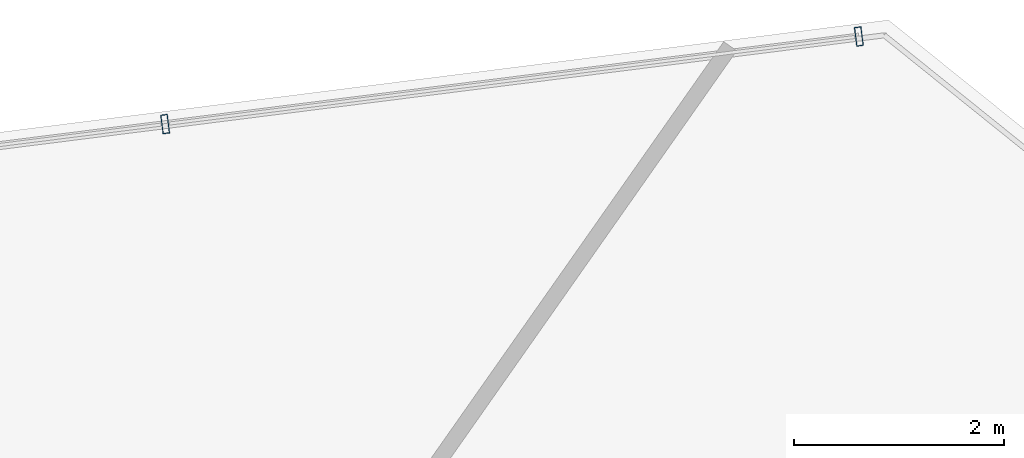
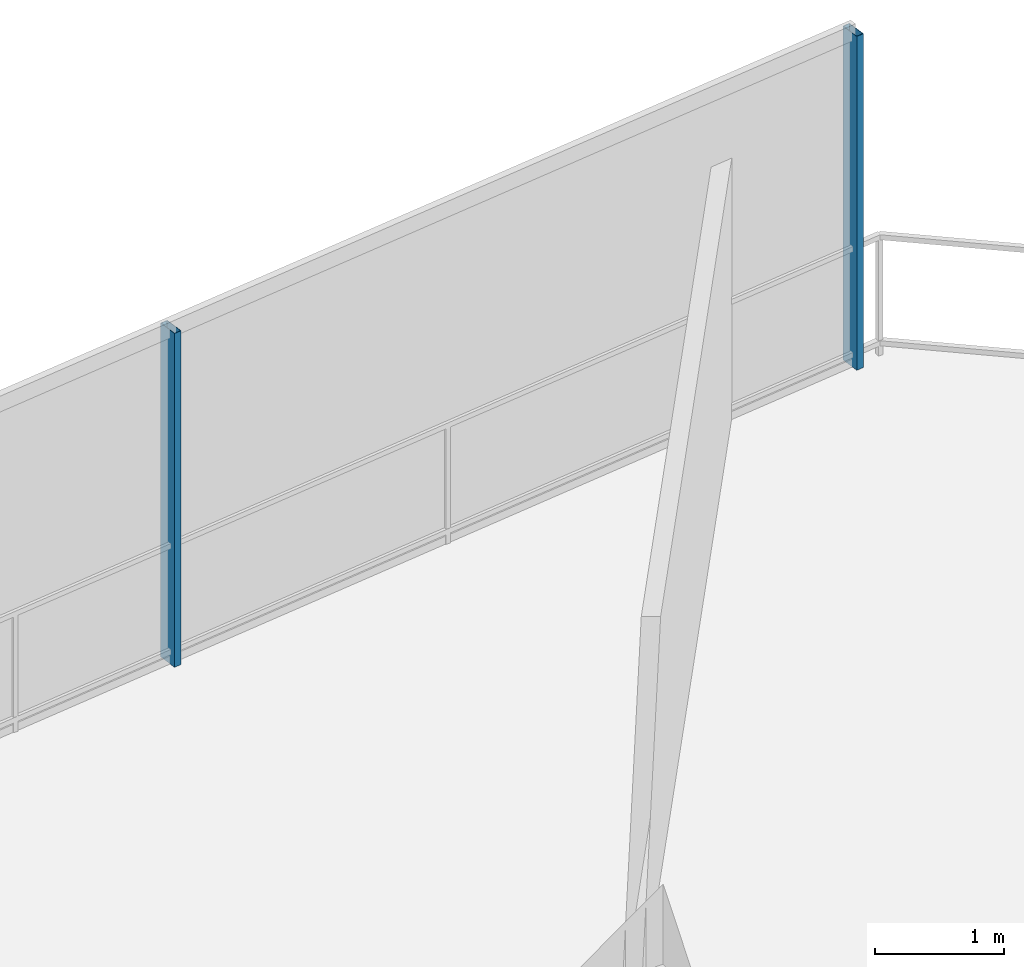
# One storey, part 23 of 30: 2 members, 1 element without a shape of its own.
"""IFC4 building model written with IfcOpenShell, lengths in metres."""

from ifc_helpers import new_model, si_unit, direction, frame, origin, origin_2d, place, context, subcontext, project, spatial, hollow_rectangle, extrude, material, layer, layer_set, material_profile, profile_set, type_object, element, aggregate, save


model = new_model("IFC4")

# Units and contexts
model_context = context("Model", 3, precision=1e-05, world=origin(), true_north=direction((0.0, 1.0)))
body_context = subcontext(model_context, "Body", "Model", "MODEL_VIEW")
ifc_project = project(units=[si_unit("LENGTHUNIT", "METRE"), si_unit("AREAUNIT", "SQUARE_METRE"), si_unit("VOLUMEUNIT", "CUBIC_METRE"), si_unit("PLANEANGLEUNIT", "RADIAN"), si_unit("MASSUNIT", "GRAM", prefix="KILO")], contexts=[model_context])

# Site, building, storey
site_placement = place(None, origin())
site = spatial("IfcSite", under=ifc_project, at=site_placement, CompositionType="ELEMENT")
building_placement = place(site_placement, origin())
building = spatial("IfcBuilding", under=site, at=building_placement, Name="Qarnah Convention Tower", CompositionType="ELEMENT")
storey_placement = place(building_placement, frame((0.0, 0.0, 93.60009765625)))
storey = spatial("IfcBuildingStorey", under=building, at=storey_placement, Name="L24", CompositionType="ELEMENT", Elevation=93.60009765625)

# Curtain wall, members
ifc_material_1 = material(Name="Tempered Low-E dark glass", Category="glass")
ifc_layer = layer(ifc_material_1, 0.169921875)
ifc_layer_set = layer_set([ifc_layer], Name="Tempered Low-E dark glass")
curtain_wall_type = type_object("IfcCurtainWallType", Name="CWS-02", PredefinedType="NOTDEFINED", material=ifc_layer_set)
curtain_wall_placement = place(storey_placement, origin())
curtain_wall = element("IfcCurtainWall", 1, at=curtain_wall_placement, inside=storey, type_object=curtain_wall_type, Name="L24 unitised curtain wall CW-L24-F1", PredefinedType="NOTDEFINED")
ifc_material_2 = material(Name="Black anodised aluminium", Category="aluminium")
ifc_material_profile = material_profile(ifc_material_2, hollow_rectangle(XDim=0.06494140625, YDim=0.179931640625, WallThickness=0.00390625, at=origin_2d()), Name="MUL-65X180")
ifc_profile_set = profile_set([ifc_material_profile], Name="Black anodised aluminium")
member_type = type_object("IfcMemberType", Name="MUL-T2", PredefinedType="MULLION", material=ifc_profile_set)
member_1_placement = place(storey_placement, frame((45.71630859375, 45.114501953125, 0.0), z_axis=(0.0, 0.0, 1.0), x_axis=(0.992119561144, 0.125294758056, 0.0)))
member_1 = element("IfcMember", 2, at=member_1_placement, type_object=member_type, Name="CW-L24-F1 mullion 5", PredefinedType="MULLION", context=body_context, shape_type="SweptSolid", body=[
    extrude(hollow_rectangle(XDim=0.06494140625, YDim=0.179931640625, WallThickness=0.00390625, at=origin_2d()), origin(), (0.0, 0.0, 1.0), 3.169921875),
])
member_2_placement = place(storey_placement, frame((52.324951171875, 45.948974609375, 0.0), z_axis=(0.0, 0.0, 1.0), x_axis=(0.992119561144, 0.125294758056, 0.0)))
member_2 = element("IfcMember", 3, at=member_2_placement, type_object=member_type, Name="CW-L24-F1 mullion 6", PredefinedType="MULLION", context=body_context, shape_type="SweptSolid", body=[
    extrude(hollow_rectangle(XDim=0.06494140625, YDim=0.179931640625, WallThickness=0.00390625, at=origin_2d()), origin(), (0.0, 0.0, 1.0), 3.169921875),
])
aggregate(curtain_wall, [member_1, member_2])

save(model, "model.ifc")
